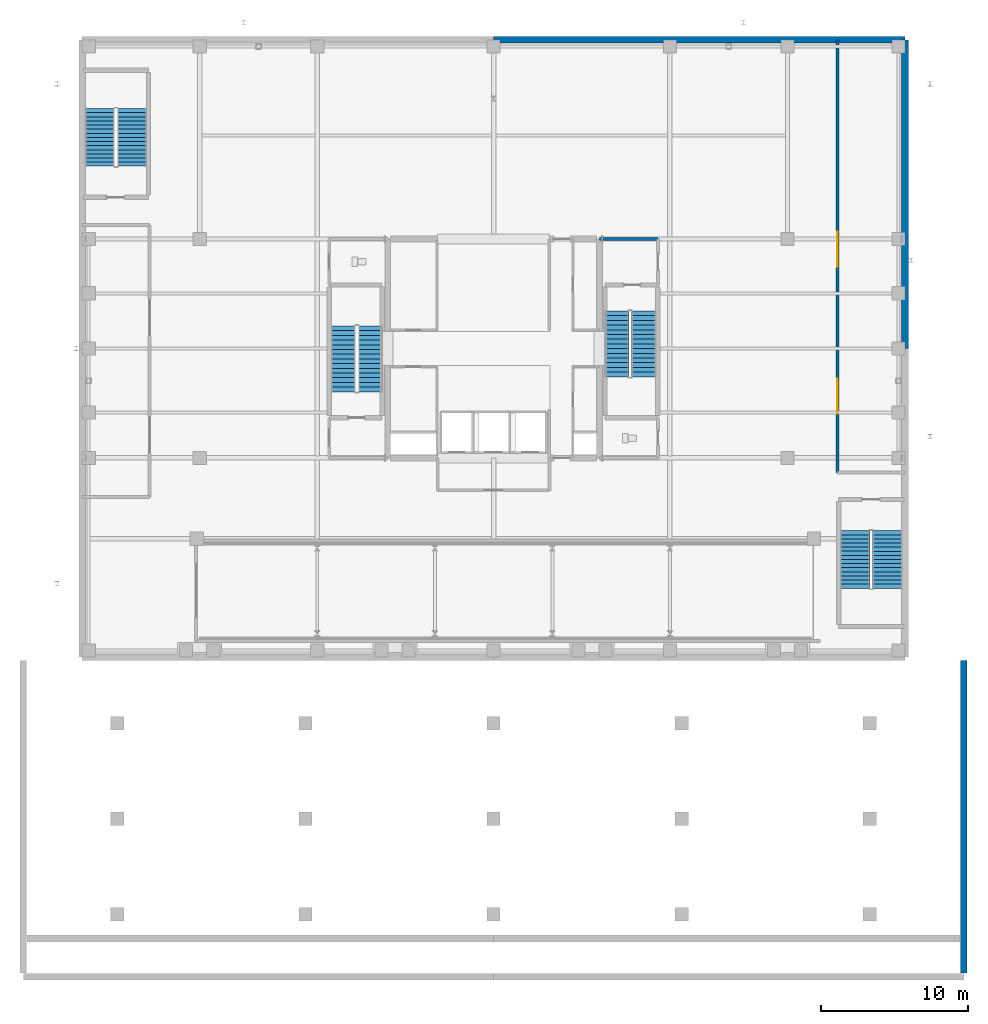
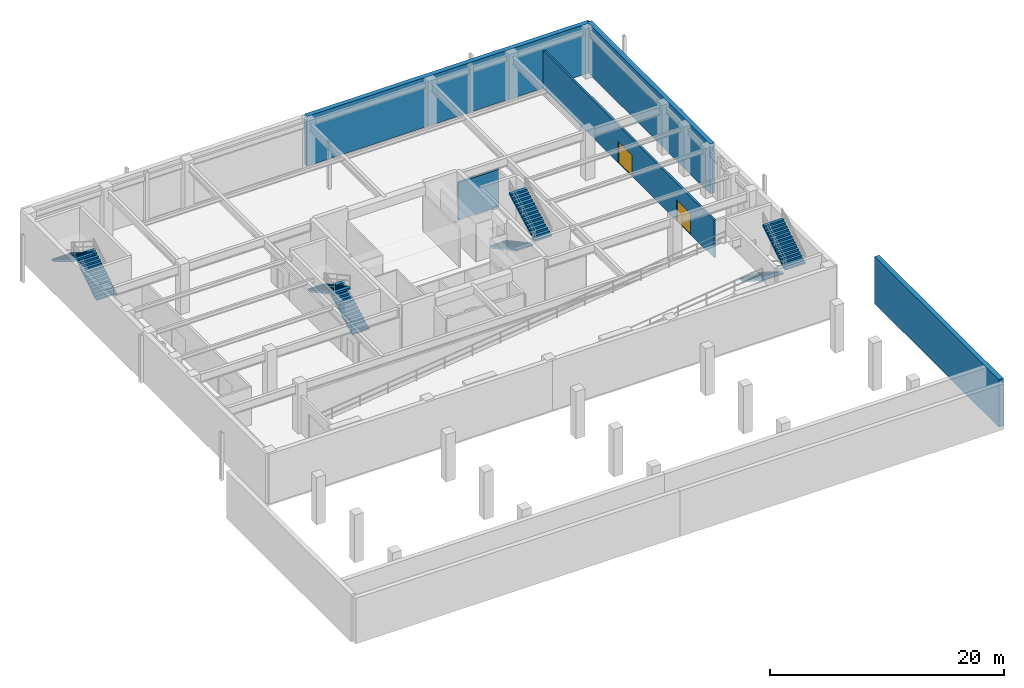
# One storey, part 13 of 16: 8 stair flights, 5 walls, 2 doors, 2 openings, 4 elements without a shape of their own.
"""IFC4 building model written with IfcOpenShell, lengths in metres."""

from ifc_helpers import new_model, si_unit, direction, frame, frame_2d, origin, place, context, subcontext, project, spatial, polyline, rectangle, outline, extrude, material, layer, layer_set, type_object, element, fill, aggregate, save


model = new_model("IFC4")

# Units and contexts
model_context = context("Model", 3, precision=1e-05, world=origin(), true_north=direction((0.0, 1.0)))
body_context = subcontext(model_context, "Body", "Model", "MODEL_VIEW")
ifc_project = project(units=[si_unit("LENGTHUNIT", "METRE"), si_unit("AREAUNIT", "SQUARE_METRE"), si_unit("VOLUMEUNIT", "CUBIC_METRE"), si_unit("PLANEANGLEUNIT", "RADIAN"), si_unit("MASSUNIT", "GRAM", prefix="KILO")], contexts=[model_context])

# Site, building, storey
site_placement = place(None, origin())
site = spatial("IfcSite", under=ifc_project, at=site_placement, CompositionType="ELEMENT")
building_placement = place(site_placement, origin())
building = spatial("IfcBuilding", under=site, at=building_placement, Name="Veldorina Hangang Commons", CompositionType="ELEMENT")
storey_placement = place(building_placement, frame((0.0, 0.0, -5.199951171875)))
storey = spatial("IfcBuildingStorey", under=building, at=storey_placement, Name="B01", CompositionType="ELEMENT", Elevation=-5.199951171875)

# Walls
ifc_material_1 = material(Name="Concrete C45/55", Category="concrete")
ifc_layer_1 = layer(ifc_material_1, 0.449951171875)
ifc_layer_set_1 = layer_set([ifc_layer_1], Name="Concrete C45/55")
wall_type_1 = type_object("IfcWallType", Name="RW-BASE-450", PredefinedType="USERDEFINED", material=ifc_layer_set_1)
wall_1_placement = place(storey_placement, frame((60.0, 24.0, 0.0), z_axis=(0.0, 0.0, 1.0), x_axis=(0.0, 1.0, 0.0)))
element("IfcWall", 1, at=wall_1_placement, inside=storey, type_object=wall_type_1, Name="B01 perimeter retaining wall E2", ObjectType="RETAININGWALL", PredefinedType="USERDEFINED", context=body_context, shape_type="SweptSolid", body=[
    extrude(rectangle(XDim=21.0, YDim=0.449951171875, at=frame_2d((10.5, 0.0))), origin(), (0.0, 0.0, 1.0), 5.199951171875),
])
wall_2_placement = place(storey_placement, frame((60.0, 45.0, 0.0), z_axis=(0.0, 0.0, 1.0), x_axis=(-1.0, 0.0, 0.0)))
element("IfcWall", 2, at=wall_2_placement, inside=storey, type_object=wall_type_1, Name="B01 perimeter retaining wall N1", ObjectType="RETAININGWALL", PredefinedType="USERDEFINED", context=body_context, shape_type="SweptSolid", body=[
    extrude(rectangle(XDim=28.0, YDim=0.449951171875, at=frame_2d((14.0, 0.0))), origin(), (0.0, 0.0, 1.0), 5.199951171875),
])
wall_3_placement = place(storey_placement, frame((64.0, -18.5, 0.0), z_axis=(0.0, 0.0, 1.0), x_axis=(0.0, 1.0, 0.0)))
element("IfcWall", 3, at=wall_3_placement, inside=storey, type_object=wall_type_1, Name="B01 waterfront quay retaining wall QE", ObjectType="RETAININGWALL", PredefinedType="USERDEFINED", context=body_context, shape_type="SweptSolid", body=[
    extrude(rectangle(XDim=21.25, YDim=0.449951171875, at=frame_2d((10.625, 0.0))), origin(), (0.0, 0.0, 1.0), 4.949951171875),
])
ifc_material_2 = material(Name="Concrete Blockwork Fire Wall C30/37", Category="masonry")
ifc_layer_2 = layer(ifc_material_2, 0.199951171875)
ifc_layer_set_2 = layer_set([ifc_layer_2], Name="Concrete Blockwork Fire Wall C30/37")
wall_type_2 = type_object("IfcWallType", Name="WL-FIRE-200", PredefinedType="SOLIDWALL", material=ifc_layer_set_2)
wall_4_placement = place(storey_placement, frame((39.199951171875, 31.449951171875, 0.0), z_axis=(0.0, 0.0, 1.0), x_axis=(1.0, 0.0, 0.0)))
element("IfcWall", 4, at=wall_4_placement, inside=storey, type_object=wall_type_2, Name="B01 East vestibule north wall 004", PredefinedType="SOLIDWALL", context=body_context, shape_type="SweptSolid", body=[
    extrude(rectangle(XDim=3.97998046875, YDim=0.199951171875, at=frame_2d((1.989990234375, 0.0))), origin(), (0.0, 0.0, 1.0), 3.919921875),
])

# Wall, openings, doors
wall_5_placement = place(storey_placement, frame((55.39990234375, 15.550048828125, 0.0), z_axis=(0.0, 0.0, 1.0), x_axis=(0.0, 1.0, 0.0)))
wall_5 = element("IfcWall", 5, at=wall_5_placement, inside=storey, type_object=wall_type_2, Name="B01 Loading bay wall 034", PredefinedType="SOLIDWALL", context=body_context, shape_type="SweptSolid", body=[
    extrude(rectangle(XDim=29.449951171875, YDim=0.199951171875, at=frame_2d((14.72509765625, 0.0))), origin(), (0.0, 0.0, 1.0), 3.919921875),
])
opening_1_placement = place(wall_5_placement, frame((4.0, 0.0, 0.0)))
opening_1 = element("IfcOpeningElement", 6, at=opening_1_placement, cuts=wall_5, Name="Opening VG-02", PredefinedType="OPENING", context=body_context, shape_type="SweptSolid", body=[
    extrude(rectangle(XDim=2.39990234375, YDim=2.199951171875, at=frame_2d((1.199951171875, 1.10009765625))), frame((0.0, 0.10986328125, 0.0), z_axis=(0.0, -1.0, 0.0), x_axis=(1.0, 0.0, 0.0)), (0.0, 0.0, 1.0), 0.219970703125),
])
opening_2_placement = place(wall_5_placement, frame((14.0, 0.0, 0.0)))
opening_2 = element("IfcOpeningElement", 7, at=opening_2_placement, cuts=wall_5, Name="Opening VG-02", PredefinedType="OPENING", context=body_context, shape_type="SweptSolid", body=[
    extrude(rectangle(XDim=2.39990234375, YDim=2.199951171875, at=frame_2d((1.199951171875, 1.10009765625))), frame((0.0, 0.10986328125, 0.0), z_axis=(0.0, -1.0, 0.0), x_axis=(1.0, 0.0, 0.0)), (0.0, 0.0, 1.0), 0.219970703125),
])
ifc_material_3 = material(Name="Steel Perforated Security Grille", Category="steel")
door_type = type_object("IfcDoorType", Name="DR-GATE-2400", OperationType="ROLLINGUP", PredefinedType="GATE", material=ifc_material_3)
door_1_placement = place(opening_1_placement, origin())
door_1 = element("IfcDoor", 8, at=door_1_placement, inside=storey, type_object=door_type, Name="B01 Loading bay roller gate 015", OperationType="ROLLINGUP", OverallHeight=2.199951171875, OverallWidth=2.39990234375, PredefinedType="GATE", context=body_context, shape_type="SweptSolid", body=[
    extrude(rectangle(XDim=2.39990234375, YDim=2.199951171875, at=frame_2d((1.199951171875, 1.10009765625))), frame((0.0, 0.02490234375, 0.0), z_axis=(0.0, -1.0, 0.0), x_axis=(1.0, 0.0, 0.0)), (0.0, 0.0, 1.0), 0.050048828125),
])
fill(opening_1, door_1)
door_2_placement = place(opening_2_placement, origin())
door_2 = element("IfcDoor", 9, at=door_2_placement, inside=storey, type_object=door_type, Name="B01 Refuse bay roller gate 016", OperationType="ROLLINGUP", OverallHeight=2.199951171875, OverallWidth=2.39990234375, PredefinedType="GATE", context=body_context, shape_type="SweptSolid", body=[
    extrude(rectangle(XDim=2.39990234375, YDim=2.199951171875, at=frame_2d((1.199951171875, 1.10009765625))), frame((0.0, 0.02490234375, 0.0), z_axis=(0.0, -1.0, 0.0), x_axis=(1.0, 0.0, 0.0)), (0.0, 0.0, 1.0), 0.050048828125),
])
fill(opening_2, door_2)

# Stair, stair flights
ifc_material_4 = material(Name="Concrete C40/50", Category="concrete")
stair_type_1 = type_object("IfcStairType", Name="STR-DOG-1650-30R", PredefinedType="HALF_TURN_STAIR", material=ifc_material_4)
stair_1_placement = place(storey_placement, origin())
stair_1 = element("IfcStair", 10, at=stair_1_placement, inside=storey, type_object=stair_type_1, Name="B01 Exit stair ST-1", PredefinedType="HALF_TURN_STAIR")
stair_flight_type_1 = type_object("IfcStairFlightType", Name="SFL-STR-1650-30R", PredefinedType="STRAIGHT", material=ifc_material_4)
stair_flight_1_placement = place(storey_placement, frame((23.625, 21.050048828125, 0.0), z_axis=(0.0, 0.0, 1.0), x_axis=(0.0, 1.0, 0.0)))
stair_flight_1 = element("IfcStairFlight", 11, at=stair_flight_1_placement, type_object=stair_flight_type_1, Name="ST-1 flight 1", NumberOfRisers=15, NumberOfTreads=14, PredefinedType="STRAIGHT", RiserHeight=0.173333333, TreadLength=0.32, context=body_context, shape_type="SweptSolid", body=[
    extrude(outline(polyline([(0.0, 0.0), (0.0, 0.17333984375), (0.320068359375, 0.17333984375), (0.320068359375, 0.3466796875), (0.639892578125, 0.3466796875), (0.639892578125, 0.52001953125), (0.9599609375, 0.52001953125), (0.9599609375, 0.693359375), (1.280029296875, 0.693359375), (1.280029296875, 0.86669921875), (1.60009765625, 0.86669921875), (1.60009765625, 1.0400390625), (1.919921875, 1.0400390625), (1.919921875, 1.21337890625), (2.239990234375, 1.21337890625), (2.239990234375, 1.38671875), (2.56005859375, 1.38671875), (2.56005859375, 1.56005859375), (2.8798828125, 1.56005859375), (2.8798828125, 1.7333984375), (3.199951171875, 1.7333984375), (3.199951171875, 1.90673828125), (3.52001953125, 1.90673828125), (3.52001953125, 2.080078125), (3.840087890625, 2.080078125), (3.840087890625, 2.25341796875), (4.159912109375, 2.25341796875), (4.159912109375, 2.4267578125), (4.47998046875, 2.4267578125), (4.47998046875, 2.60009765625), (4.47998046875, 2.256103515625), (0.314697265625, 0.0), (0.0, 0.0)])), frame((0.0, 0.824951171875, 0.0), z_axis=(0.0, -1.0, 0.0), x_axis=(1.0, 0.0, 0.0)), (0.0, 0.0, 1.0), 1.64990234375),
])
stair_flight_2_placement = place(storey_placement, frame((21.77490234375, 25.530029296875, 2.599853515625), z_axis=(0.0, 0.0, 1.0), x_axis=(0.0, -1.0, 0.0)))
stair_flight_2 = element("IfcStairFlight", 12, at=stair_flight_2_placement, type_object=stair_flight_type_1, Name="ST-1 flight 2", NumberOfRisers=15, NumberOfTreads=14, PredefinedType="STRAIGHT", RiserHeight=0.173333333, TreadLength=0.32, context=body_context, shape_type="SweptSolid", body=[
    extrude(outline(polyline([(0.0, 0.0), (0.0, 0.17333984375), (0.320068359375, 0.17333984375), (0.320068359375, 0.3466796875), (0.639892578125, 0.3466796875), (0.639892578125, 0.52001953125), (0.9599609375, 0.52001953125), (0.9599609375, 0.693359375), (1.280029296875, 0.693359375), (1.280029296875, 0.86669921875), (1.60009765625, 0.86669921875), (1.60009765625, 1.0400390625), (1.919921875, 1.0400390625), (1.919921875, 1.21337890625), (2.239990234375, 1.21337890625), (2.239990234375, 1.38671875), (2.56005859375, 1.38671875), (2.56005859375, 1.56005859375), (2.8798828125, 1.56005859375), (2.8798828125, 1.7333984375), (3.199951171875, 1.7333984375), (3.199951171875, 1.90673828125), (3.52001953125, 1.90673828125), (3.52001953125, 2.080078125), (3.840087890625, 2.080078125), (3.840087890625, 2.25341796875), (4.159912109375, 2.25341796875), (4.159912109375, 2.4267578125), (4.47998046875, 2.4267578125), (4.47998046875, 2.60009765625), (4.47998046875, 2.256103515625), (0.314697265625, 0.0), (0.0, 0.0)])), frame((0.0, 0.824951171875, 0.0), z_axis=(0.0, -1.0, 0.0), x_axis=(1.0, 0.0, 0.0)), (0.0, 0.0, 1.0), 1.64990234375),
])
aggregate(stair_1, [stair_flight_1, stair_flight_2])

stair_2_placement = place(storey_placement, origin())
stair_2 = element("IfcStair", 13, at=stair_2_placement, inside=storey, type_object=stair_type_1, Name="B01 Exit stair ST-2", PredefinedType="HALF_TURN_STAIR")
stair_flight_3_placement = place(storey_placement, frame((40.375, 26.550048828125, 0.0), z_axis=(0.0, 0.0, 1.0), x_axis=(0.0, -1.0, 0.0)))
stair_flight_3 = element("IfcStairFlight", 14, at=stair_flight_3_placement, type_object=stair_flight_type_1, Name="ST-2 flight 1", NumberOfRisers=15, NumberOfTreads=14, PredefinedType="STRAIGHT", RiserHeight=0.173333333, TreadLength=0.32, context=body_context, shape_type="SweptSolid", body=[
    extrude(outline(polyline([(0.0, 0.0), (0.0, 0.17333984375), (0.320068359375, 0.17333984375), (0.320068359375, 0.3466796875), (0.639892578125, 0.3466796875), (0.639892578125, 0.52001953125), (0.9599609375, 0.52001953125), (0.9599609375, 0.693359375), (1.280029296875, 0.693359375), (1.280029296875, 0.86669921875), (1.60009765625, 0.86669921875), (1.60009765625, 1.0400390625), (1.919921875, 1.0400390625), (1.919921875, 1.21337890625), (2.239990234375, 1.21337890625), (2.239990234375, 1.38671875), (2.56005859375, 1.38671875), (2.56005859375, 1.56005859375), (2.8798828125, 1.56005859375), (2.8798828125, 1.7333984375), (3.199951171875, 1.7333984375), (3.199951171875, 1.90673828125), (3.52001953125, 1.90673828125), (3.52001953125, 2.080078125), (3.840087890625, 2.080078125), (3.840087890625, 2.25341796875), (4.159912109375, 2.25341796875), (4.159912109375, 2.4267578125), (4.47998046875, 2.4267578125), (4.47998046875, 2.60009765625), (4.47998046875, 2.256103515625), (0.314697265625, 0.0), (0.0, 0.0)])), frame((0.0, 0.824951171875, 0.0), z_axis=(0.0, -1.0, 0.0), x_axis=(1.0, 0.0, 0.0)), (0.0, 0.0, 1.0), 1.64990234375),
])
stair_flight_4_placement = place(storey_placement, frame((42.22509765625, 22.070068359375, 2.599853515625), z_axis=(0.0, 0.0, 1.0), x_axis=(0.0, 1.0, 0.0)))
stair_flight_4 = element("IfcStairFlight", 15, at=stair_flight_4_placement, type_object=stair_flight_type_1, Name="ST-2 flight 2", NumberOfRisers=15, NumberOfTreads=14, PredefinedType="STRAIGHT", RiserHeight=0.173333333, TreadLength=0.32, context=body_context, shape_type="SweptSolid", body=[
    extrude(outline(polyline([(0.0, 0.0), (0.0, 0.17333984375), (0.320068359375, 0.17333984375), (0.320068359375, 0.3466796875), (0.639892578125, 0.3466796875), (0.639892578125, 0.52001953125), (0.9599609375, 0.52001953125), (0.9599609375, 0.693359375), (1.280029296875, 0.693359375), (1.280029296875, 0.86669921875), (1.60009765625, 0.86669921875), (1.60009765625, 1.0400390625), (1.919921875, 1.0400390625), (1.919921875, 1.21337890625), (2.239990234375, 1.21337890625), (2.239990234375, 1.38671875), (2.56005859375, 1.38671875), (2.56005859375, 1.56005859375), (2.8798828125, 1.56005859375), (2.8798828125, 1.7333984375), (3.199951171875, 1.7333984375), (3.199951171875, 1.90673828125), (3.52001953125, 1.90673828125), (3.52001953125, 2.080078125), (3.840087890625, 2.080078125), (3.840087890625, 2.25341796875), (4.159912109375, 2.25341796875), (4.159912109375, 2.4267578125), (4.47998046875, 2.4267578125), (4.47998046875, 2.60009765625), (4.47998046875, 2.256103515625), (0.314697265625, 0.0), (0.0, 0.0)])), frame((0.0, 0.824951171875, 0.0), z_axis=(0.0, -1.0, 0.0), x_axis=(1.0, 0.0, 0.0)), (0.0, 0.0, 1.0), 1.64990234375),
])
aggregate(stair_2, [stair_flight_3, stair_flight_4])

stair_type_2 = type_object("IfcStairType", Name="STR-DOG-2000-30R", PredefinedType="HALF_TURN_STAIR", material=ifc_material_4)
stair_3_placement = place(storey_placement, origin())
stair_3 = element("IfcStair", 16, at=stair_3_placement, inside=storey, type_object=stair_type_2, Name="B01 Exit stair ST-P1", PredefinedType="HALF_TURN_STAIR")
stair_flight_type_2 = type_object("IfcStairFlightType", Name="SFL-STR-2000-30R", PredefinedType="STRAIGHT", material=ifc_material_4)
stair_flight_5_placement = place(storey_placement, frame((7.39990234375, 36.39990234375, 0.0), z_axis=(0.0, 0.0, 1.0), x_axis=(0.0, 1.0, 0.0)))
stair_flight_5 = element("IfcStairFlight", 17, at=stair_flight_5_placement, type_object=stair_flight_type_2, Name="ST-P1 flight 1", NumberOfRisers=15, NumberOfTreads=14, PredefinedType="STRAIGHT", RiserHeight=0.173333333, TreadLength=0.28, context=body_context, shape_type="SweptSolid", body=[
    extrude(outline(polyline([(0.0, 0.0), (0.0, 0.17333984375), (0.280029296875, 0.17333984375), (0.280029296875, 0.3466796875), (0.56005859375, 0.3466796875), (0.56005859375, 0.52001953125), (0.840087890625, 0.52001953125), (0.840087890625, 0.693359375), (1.1201171875, 0.693359375), (1.1201171875, 0.86669921875), (1.39990234375, 0.86669921875), (1.39990234375, 1.0400390625), (1.679931640625, 1.0400390625), (1.679931640625, 1.21337890625), (1.9599609375, 1.21337890625), (1.9599609375, 1.38671875), (2.239990234375, 1.38671875), (2.239990234375, 1.56005859375), (2.52001953125, 1.56005859375), (2.52001953125, 1.7333984375), (2.800048828125, 1.7333984375), (2.800048828125, 1.90673828125), (3.080078125, 1.90673828125), (3.080078125, 2.080078125), (3.360107421875, 2.080078125), (3.360107421875, 2.25341796875), (3.639892578125, 2.25341796875), (3.639892578125, 2.4267578125), (3.919921875, 2.4267578125), (3.919921875, 2.60009765625), (3.919921875, 2.250244140625), (0.284912109375, 0.0), (0.0, 0.0)])), frame((0.0, 1.0, 0.0), z_axis=(0.0, -1.0, 0.0), x_axis=(1.0, 0.0, 0.0)), (0.0, 0.0, 1.0), 2.0),
])
stair_flight_6_placement = place(storey_placement, frame((5.199951171875, 40.320068359375, 2.599853515625), z_axis=(0.0, 0.0, 1.0), x_axis=(0.0, -1.0, 0.0)))
stair_flight_6 = element("IfcStairFlight", 18, at=stair_flight_6_placement, type_object=stair_flight_type_2, Name="ST-P1 flight 2", NumberOfRisers=15, NumberOfTreads=14, PredefinedType="STRAIGHT", RiserHeight=0.173333333, TreadLength=0.28, context=body_context, shape_type="SweptSolid", body=[
    extrude(outline(polyline([(0.0, 0.0), (0.0, 0.17333984375), (0.280029296875, 0.17333984375), (0.280029296875, 0.3466796875), (0.56005859375, 0.3466796875), (0.56005859375, 0.52001953125), (0.840087890625, 0.52001953125), (0.840087890625, 0.693359375), (1.1201171875, 0.693359375), (1.1201171875, 0.86669921875), (1.39990234375, 0.86669921875), (1.39990234375, 1.0400390625), (1.679931640625, 1.0400390625), (1.679931640625, 1.21337890625), (1.9599609375, 1.21337890625), (1.9599609375, 1.38671875), (2.239990234375, 1.38671875), (2.239990234375, 1.56005859375), (2.52001953125, 1.56005859375), (2.52001953125, 1.7333984375), (2.800048828125, 1.7333984375), (2.800048828125, 1.90673828125), (3.080078125, 1.90673828125), (3.080078125, 2.080078125), (3.360107421875, 2.080078125), (3.360107421875, 2.25341796875), (3.639892578125, 2.25341796875), (3.639892578125, 2.4267578125), (3.919921875, 2.4267578125), (3.919921875, 2.60009765625), (3.919921875, 2.250244140625), (0.284912109375, 0.0), (0.0, 0.0)])), frame((0.0, 1.0, 0.0), z_axis=(0.0, -1.0, 0.0), x_axis=(1.0, 0.0, 0.0)), (0.0, 0.0, 1.0), 2.0),
])
aggregate(stair_3, [stair_flight_5, stair_flight_6])

stair_4_placement = place(storey_placement, origin())
stair_4 = element("IfcStair", 19, at=stair_4_placement, inside=storey, type_object=stair_type_2, Name="B01 Exit stair ST-P2", PredefinedType="HALF_TURN_STAIR")
stair_flight_7_placement = place(storey_placement, frame((56.60009765625, 11.60009765625, 0.0), z_axis=(0.0, 0.0, 1.0), x_axis=(0.0, -1.0, 0.0)))
stair_flight_7 = element("IfcStairFlight", 20, at=stair_flight_7_placement, type_object=stair_flight_type_2, Name="ST-P2 flight 1", NumberOfRisers=15, NumberOfTreads=14, PredefinedType="STRAIGHT", RiserHeight=0.173333333, TreadLength=0.28, context=body_context, shape_type="SweptSolid", body=[
    extrude(outline(polyline([(0.0, 0.0), (0.0, 0.17333984375), (0.280029296875, 0.17333984375), (0.280029296875, 0.3466796875), (0.56005859375, 0.3466796875), (0.56005859375, 0.52001953125), (0.840087890625, 0.52001953125), (0.840087890625, 0.693359375), (1.1201171875, 0.693359375), (1.1201171875, 0.86669921875), (1.39990234375, 0.86669921875), (1.39990234375, 1.0400390625), (1.679931640625, 1.0400390625), (1.679931640625, 1.21337890625), (1.9599609375, 1.21337890625), (1.9599609375, 1.38671875), (2.239990234375, 1.38671875), (2.239990234375, 1.56005859375), (2.52001953125, 1.56005859375), (2.52001953125, 1.7333984375), (2.800048828125, 1.7333984375), (2.800048828125, 1.90673828125), (3.080078125, 1.90673828125), (3.080078125, 2.080078125), (3.360107421875, 2.080078125), (3.360107421875, 2.25341796875), (3.639892578125, 2.25341796875), (3.639892578125, 2.4267578125), (3.919921875, 2.4267578125), (3.919921875, 2.60009765625), (3.919921875, 2.250244140625), (0.284912109375, 0.0), (0.0, 0.0)])), frame((0.0, 1.0, 0.0), z_axis=(0.0, -1.0, 0.0), x_axis=(1.0, 0.0, 0.0)), (0.0, 0.0, 1.0), 2.0),
])
stair_flight_8_placement = place(storey_placement, frame((58.800048828125, 7.679931640625, 2.599853515625), z_axis=(0.0, 0.0, 1.0), x_axis=(0.0, 1.0, 0.0)))
stair_flight_8 = element("IfcStairFlight", 21, at=stair_flight_8_placement, type_object=stair_flight_type_2, Name="ST-P2 flight 2", NumberOfRisers=15, NumberOfTreads=14, PredefinedType="STRAIGHT", RiserHeight=0.173333333, TreadLength=0.28, context=body_context, shape_type="SweptSolid", body=[
    extrude(outline(polyline([(0.0, 0.0), (0.0, 0.17333984375), (0.280029296875, 0.17333984375), (0.280029296875, 0.3466796875), (0.56005859375, 0.3466796875), (0.56005859375, 0.52001953125), (0.840087890625, 0.52001953125), (0.840087890625, 0.693359375), (1.1201171875, 0.693359375), (1.1201171875, 0.86669921875), (1.39990234375, 0.86669921875), (1.39990234375, 1.0400390625), (1.679931640625, 1.0400390625), (1.679931640625, 1.21337890625), (1.9599609375, 1.21337890625), (1.9599609375, 1.38671875), (2.239990234375, 1.38671875), (2.239990234375, 1.56005859375), (2.52001953125, 1.56005859375), (2.52001953125, 1.7333984375), (2.800048828125, 1.7333984375), (2.800048828125, 1.90673828125), (3.080078125, 1.90673828125), (3.080078125, 2.080078125), (3.360107421875, 2.080078125), (3.360107421875, 2.25341796875), (3.639892578125, 2.25341796875), (3.639892578125, 2.4267578125), (3.919921875, 2.4267578125), (3.919921875, 2.60009765625), (3.919921875, 2.250244140625), (0.284912109375, 0.0), (0.0, 0.0)])), frame((0.0, 1.0, 0.0), z_axis=(0.0, -1.0, 0.0), x_axis=(1.0, 0.0, 0.0)), (0.0, 0.0, 1.0), 2.0),
])
aggregate(stair_4, [stair_flight_7, stair_flight_8])

save(model, "model.ifc")
